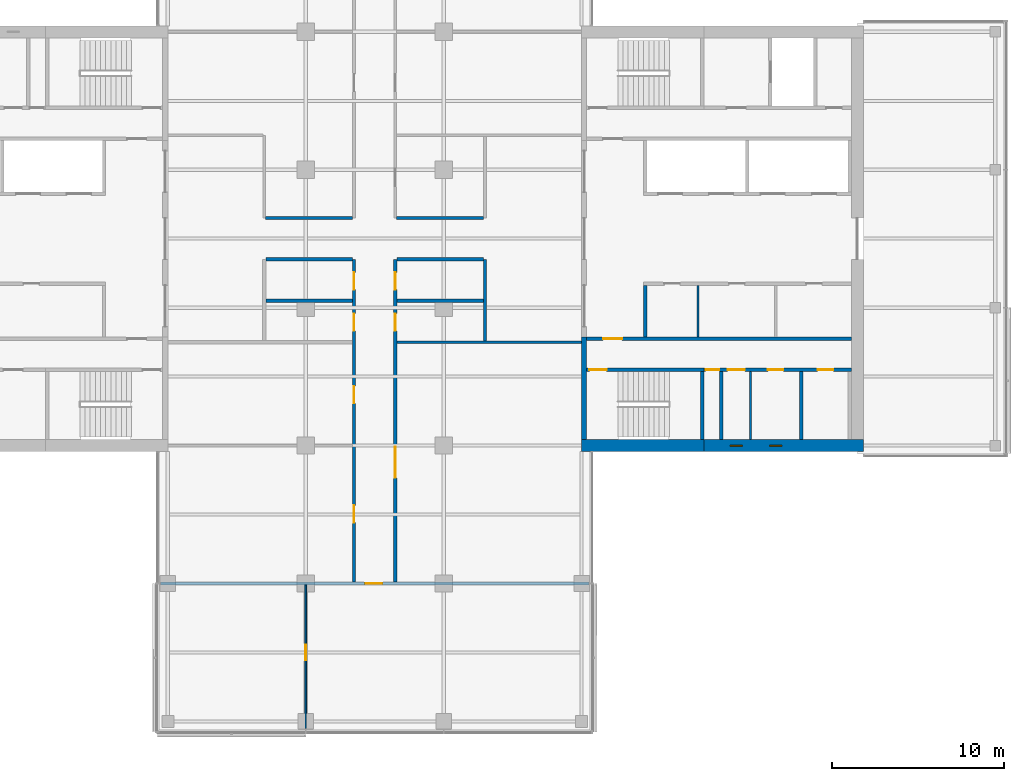
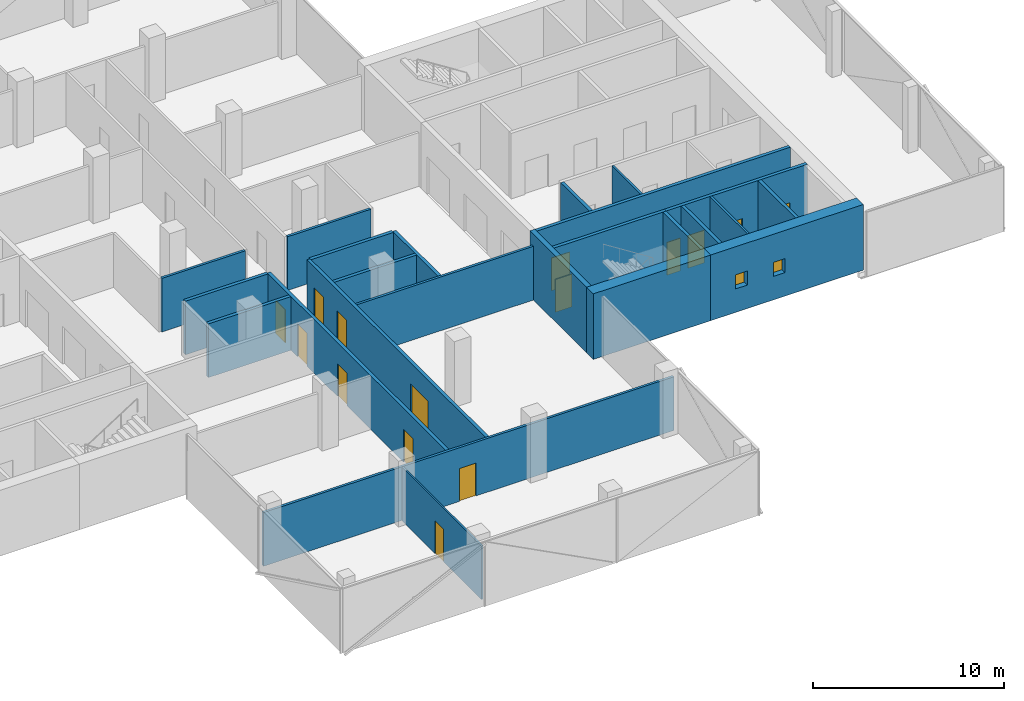
# One storey, part 14 of 22: 24 walls, 15 doors, 2 windows, 17 openings.
"""IFC4 building model written with IfcOpenShell, lengths in metres."""

from ifc_helpers import new_model, si_unit, direction, frame, frame_2d, origin, place, context, subcontext, project, spatial, rectangle, extrude, material, layer, layer_set, constituent, constituent_set, type_object, element, fill, save


model = new_model("IFC4")

# Units and contexts
model_context = context("Model", 3, precision=1e-05, world=origin(), true_north=direction((0.0, 1.0)))
body_context = subcontext(model_context, "Body", "Model", "MODEL_VIEW")
ifc_project = project(units=[si_unit("LENGTHUNIT", "METRE"), si_unit("AREAUNIT", "SQUARE_METRE"), si_unit("VOLUMEUNIT", "CUBIC_METRE"), si_unit("PLANEANGLEUNIT", "RADIAN"), si_unit("MASSUNIT", "GRAM", prefix="KILO")], contexts=[model_context])

# Site, building, storey
site_placement = place(None, origin())
site = spatial("IfcSite", under=ifc_project, at=site_placement, CompositionType="ELEMENT")
building_placement = place(site_placement, origin())
building = spatial("IfcBuilding", under=site, at=building_placement, Name="Crosswind Convention Tower", CompositionType="ELEMENT")
storey_placement = place(building_placement, frame((0.0, 0.0, 163.10009765625)))
storey = spatial("IfcBuildingStorey", under=building, at=storey_placement, Name="L34", CompositionType="ELEMENT", Elevation=163.10009765625)

# Wall
ifc_material_1 = material(Name="Concrete blockwork", Category="masonry")
ifc_layer_1 = layer(ifc_material_1, 0.199951171875)
ifc_layer_set_1 = layer_set([ifc_layer_1], Name="Blockwork partition wall 200")
wall_type_1 = type_object("IfcWallType", Name="Blockwork partition wall 200", PredefinedType="PARTITIONING", material=ifc_layer_set_1)
wall_1_placement = place(storey_placement, frame((145.10009765625, 88.35009765625, 0.0), z_axis=(0.0, 0.0, 1.0), x_axis=(0.0, 1.0, 0.0)))
element("IfcWall", 1, at=wall_1_placement, inside=storey, type_object=wall_type_1, Name="Wall MRSE E L34", PredefinedType="PARTITIONING", context=body_context, shape_type="SweptSolid", body=[
    extrude(rectangle(XDim=3.949951171875, YDim=0.199951171875, at=frame_2d((1.97509765625, 0.0))), origin(), (0.0, 0.0, 1.0), 4.199951171875),
])

# Wall, openings, doors
ifc_layer_2 = layer(ifc_material_1, 0.199951171875)
ifc_layer_set_2 = layer_set([ifc_layer_2], Name="COMPARTMENT WALL 200 BLOCKWORK")
wall_type_2 = type_object("IfcWallType", Name="COMPARTMENT WALL 200 BLOCKWORK", PredefinedType="SOLIDWALL", material=ifc_layer_set_2)
wall_2_placement = place(storey_placement, frame((123.800048828125, 80.074951171875, 0.0), z_axis=(0.0, 0.0, 1.0), x_axis=(0.0, 1.0, 0.0)))
wall_2 = element("IfcWall", 2, at=wall_2_placement, inside=storey, type_object=wall_type_2, Name="Compartment wall WT42", PredefinedType="SOLIDWALL", context=body_context, shape_type="SweptSolid", body=[
    extrude(rectangle(XDim=18.72509765625, YDim=0.199951171875, at=frame_2d((9.362548828125, 0.0))), origin(), (0.0, 0.0, 1.0), 3.436279296875),
])
opening_1_placement = place(wall_2_placement, frame((16.97509765625, 0.0, 0.0)))
opening_1 = element("IfcOpeningElement", 3, at=opening_1_placement, cuts=wall_2, Name="Opening L34-58", PredefinedType="OPENING", context=body_context, shape_type="SweptSolid", body=[
    extrude(rectangle(XDim=1.0, YDim=2.10009765625, at=frame_2d((0.5, 1.050048828125))), frame((0.0, 0.10986328125, 0.0), z_axis=(0.0, -1.0, 0.0), x_axis=(1.0, 0.0, 0.0)), (0.0, 0.0, 1.0), 0.219970703125),
])
opening_2_placement = place(wall_2_placement, frame((14.574951171875, 0.0, 0.0)))
opening_2 = element("IfcOpeningElement", 4, at=opening_2_placement, cuts=wall_2, Name="Opening L34-59", PredefinedType="OPENING", context=body_context, shape_type="SweptSolid", body=[
    extrude(rectangle(XDim=1.0, YDim=2.10009765625, at=frame_2d((0.5, 1.050048828125))), frame((0.0, 0.10986328125, 0.0), z_axis=(0.0, -1.0, 0.0), x_axis=(1.0, 0.0, 0.0)), (0.0, 0.0, 1.0), 0.219970703125),
])
opening_3_placement = place(wall_2_placement, frame((10.375, 0.0, 0.0)))
opening_3 = element("IfcOpeningElement", 5, at=opening_3_placement, cuts=wall_2, Name="Opening L34-60", PredefinedType="OPENING", context=body_context, shape_type="SweptSolid", body=[
    extrude(rectangle(XDim=1.0, YDim=2.10009765625, at=frame_2d((0.5, 1.050048828125))), frame((0.0, 0.10986328125, 0.0), z_axis=(0.0, -1.0, 0.0), x_axis=(1.0, 0.0, 0.0)), (0.0, 0.0, 1.0), 0.219970703125),
])
opening_4_placement = place(wall_2_placement, frame((3.449951171875, 0.0, 0.0)))
opening_4 = element("IfcOpeningElement", 6, at=opening_4_placement, cuts=wall_2, Name="Opening L34-61", PredefinedType="OPENING", context=body_context, shape_type="SweptSolid", body=[
    extrude(rectangle(XDim=1.0, YDim=2.10009765625, at=frame_2d((0.5, 1.050048828125))), frame((0.0, 0.10986328125, 0.0), z_axis=(0.0, -1.0, 0.0), x_axis=(1.0, 0.0, 0.0)), (0.0, 0.0, 1.0), 0.219970703125),
])
ifc_material_2 = material(Name="Steel fire door", Category="steel")
door_type_1 = type_object("IfcDoorType", Name="PLANT ROOM DOOR 1000X2100 FD60", OperationType="NOTDEFINED", PredefinedType="DOOR", material=ifc_material_2)
door_1_placement = place(opening_1_placement, origin())
door_1 = element("IfcDoor", 7, at=door_1_placement, inside=storey, type_object=door_type_1, Name="Door L34-58", ObjectType="D43", OperationType="SINGLE_SWING_LEFT", OverallHeight=2.10009765625, OverallWidth=1.0, PredefinedType="DOOR", context=body_context, shape_type="SweptSolid", body=[
    extrude(rectangle(XDim=1.0, YDim=2.10009765625, at=frame_2d((0.5, 1.050048828125))), frame((0.0, 0.02490234375, 0.0), z_axis=(0.0, -1.0, 0.0), x_axis=(1.0, 0.0, 0.0)), (0.0, 0.0, 1.0), 0.050048828125),
])
fill(opening_1, door_1)
door_2_placement = place(opening_2_placement, origin())
door_2 = element("IfcDoor", 8, at=door_2_placement, inside=storey, type_object=door_type_1, Name="Door L34-59", ObjectType="D43", OperationType="SINGLE_SWING_LEFT", OverallHeight=2.10009765625, OverallWidth=1.0, PredefinedType="DOOR", context=body_context, shape_type="SweptSolid", body=[
    extrude(rectangle(XDim=1.0, YDim=2.10009765625, at=frame_2d((0.5, 1.050048828125))), frame((0.0, 0.02490234375, 0.0), z_axis=(0.0, -1.0, 0.0), x_axis=(1.0, 0.0, 0.0)), (0.0, 0.0, 1.0), 0.050048828125),
])
fill(opening_2, door_2)
ifc_material_3 = material(Name="Timber fire door", Category="wood")
door_type_2 = type_object("IfcDoorType", Name="TENANCY ENTRANCE DOOR 1000X2100 FD30S", OperationType="NOTDEFINED", PredefinedType="DOOR", material=ifc_material_3)
door_3_placement = place(opening_3_placement, origin())
door_3 = element("IfcDoor", 9, at=door_3_placement, inside=storey, type_object=door_type_2, Name="Door L34-60", ObjectType="D41", OperationType="SINGLE_SWING_LEFT", OverallHeight=2.10009765625, OverallWidth=1.0, PredefinedType="DOOR", context=body_context, shape_type="SweptSolid", body=[
    extrude(rectangle(XDim=1.0, YDim=2.10009765625, at=frame_2d((0.5, 1.050048828125))), frame((0.0, 0.02490234375, 0.0), z_axis=(0.0, -1.0, 0.0), x_axis=(1.0, 0.0, 0.0)), (0.0, 0.0, 1.0), 0.050048828125),
])
fill(opening_3, door_3)
door_4_placement = place(opening_4_placement, origin())
door_4 = element("IfcDoor", 10, at=door_4_placement, inside=storey, type_object=door_type_2, Name="Door L34-61", ObjectType="D41", OperationType="SINGLE_SWING_RIGHT", OverallHeight=2.10009765625, OverallWidth=1.0, PredefinedType="DOOR", context=body_context, shape_type="SweptSolid", body=[
    extrude(rectangle(XDim=1.0, YDim=2.10009765625, at=frame_2d((0.5, 1.050048828125))), frame((0.0, 0.02490234375, 0.0), z_axis=(0.0, -1.0, 0.0), x_axis=(1.0, 0.0, 0.0)), (0.0, 0.0, 1.0), 0.050048828125),
])
fill(opening_4, door_4)

wall_3_placement = place(storey_placement, frame((126.199951171875, 80.074951171875, 0.0), z_axis=(0.0, 0.0, 1.0), x_axis=(0.0, 1.0, 0.0)))
wall_3 = element("IfcWall", 11, at=wall_3_placement, inside=storey, type_object=wall_type_2, Name="Compartment wall WT42", PredefinedType="SOLIDWALL", context=body_context, shape_type="SweptSolid", body=[
    extrude(rectangle(XDim=18.72509765625, YDim=0.199951171875, at=frame_2d((9.362548828125, 0.0))), origin(), (0.0, 0.0, 1.0), 3.436279296875),
])
opening_5_placement = place(wall_3_placement, frame((16.97509765625, 0.0, 0.0)))
opening_5 = element("IfcOpeningElement", 12, at=opening_5_placement, cuts=wall_3, Name="Opening L34-53", PredefinedType="OPENING", context=body_context, shape_type="SweptSolid", body=[
    extrude(rectangle(XDim=1.0, YDim=2.10009765625, at=frame_2d((0.5, 1.050048828125))), frame((0.0, 0.10986328125, 0.0), z_axis=(0.0, -1.0, 0.0), x_axis=(1.0, 0.0, 0.0)), (0.0, 0.0, 1.0), 0.219970703125),
])
opening_6_placement = place(wall_3_placement, frame((14.574951171875, 0.0, 0.0)))
opening_6 = element("IfcOpeningElement", 13, at=opening_6_placement, cuts=wall_3, Name="Opening L34-54", PredefinedType="OPENING", context=body_context, shape_type="SweptSolid", body=[
    extrude(rectangle(XDim=1.0, YDim=2.10009765625, at=frame_2d((0.5, 1.050048828125))), frame((0.0, 0.10986328125, 0.0), z_axis=(0.0, -1.0, 0.0), x_axis=(1.0, 0.0, 0.0)), (0.0, 0.0, 1.0), 0.219970703125),
])
opening_7_placement = place(wall_3_placement, frame((6.050048828125, 0.0, 0.0)))
opening_7 = element("IfcOpeningElement", 14, at=opening_7_placement, cuts=wall_3, Name="Opening L34-55", PredefinedType="OPENING", context=body_context, shape_type="SweptSolid", body=[
    extrude(rectangle(XDim=1.800048828125, YDim=2.10009765625, at=frame_2d((0.89990234375, 1.050048828125))), frame((0.0, 0.10986328125, 0.0), z_axis=(0.0, -1.0, 0.0), x_axis=(1.0, 0.0, 0.0)), (0.0, 0.0, 1.0), 0.219970703125),
])
door_5_placement = place(opening_5_placement, frame((1.0, 0.0, 0.0), z_axis=(0.0, 0.0, 1.0), x_axis=(-1.0, 0.0, 0.0)))
door_5 = element("IfcDoor", 15, at=door_5_placement, inside=storey, type_object=door_type_1, Name="Door L34-53", ObjectType="D43", OperationType="SINGLE_SWING_RIGHT", OverallHeight=2.10009765625, OverallWidth=1.0, PredefinedType="DOOR", context=body_context, shape_type="SweptSolid", body=[
    extrude(rectangle(XDim=1.0, YDim=2.10009765625, at=frame_2d((0.5, 1.050048828125))), frame((0.0, 0.02490234375, 0.0), z_axis=(0.0, -1.0, 0.0), x_axis=(1.0, 0.0, 0.0)), (0.0, 0.0, 1.0), 0.050048828125),
])
fill(opening_5, door_5)
door_6_placement = place(opening_6_placement, frame((1.0, 0.0, 0.0), z_axis=(0.0, 0.0, 1.0), x_axis=(-1.0, 0.0, 0.0)))
door_6 = element("IfcDoor", 16, at=door_6_placement, inside=storey, type_object=door_type_2, Name="Door L34-54", ObjectType="D41", OperationType="SINGLE_SWING_RIGHT", OverallHeight=2.10009765625, OverallWidth=1.0, PredefinedType="DOOR", context=body_context, shape_type="SweptSolid", body=[
    extrude(rectangle(XDim=1.0, YDim=2.10009765625, at=frame_2d((0.5, 1.050048828125))), frame((0.0, 0.02490234375, 0.0), z_axis=(0.0, -1.0, 0.0), x_axis=(1.0, 0.0, 0.0)), (0.0, 0.0, 1.0), 0.050048828125),
])
fill(opening_6, door_6)
door_type_3 = type_object("IfcDoorType", Name="TENANCY ENTRANCE DOUBLE DOOR 1800X2100 FD30S", OperationType="DOUBLE_DOOR_SINGLE_SWING", PredefinedType="DOOR", material=ifc_material_3)
door_7_placement = place(opening_7_placement, frame((1.800048828125, 0.0, 0.0), z_axis=(0.0, 0.0, 1.0), x_axis=(-1.0, 0.0, 0.0)))
door_7 = element("IfcDoor", 17, at=door_7_placement, inside=storey, type_object=door_type_3, Name="Door L34-55", ObjectType="D42", OperationType="DOUBLE_DOOR_SINGLE_SWING", OverallHeight=2.10009765625, OverallWidth=1.800048828125, PredefinedType="DOOR", context=body_context, shape_type="SweptSolid", body=[
    extrude(rectangle(XDim=1.800048828125, YDim=2.10009765625, at=frame_2d((0.89990234375, 1.050048828125))), frame((0.0, 0.02490234375, 0.0), z_axis=(0.0, -1.0, 0.0), x_axis=(1.0, 0.0, 0.0)), (0.0, 0.0, 1.0), 0.050048828125),
])
fill(opening_7, door_7)

# Walls
wall_4_placement = place(storey_placement, frame((131.39990234375, 94.074951171875, 0.0), z_axis=(0.0, 0.0, 1.0), x_axis=(0.0, 1.0, 0.0)))
element("IfcWall", 18, at=wall_4_placement, inside=storey, type_object=wall_type_2, Name="Compartment wall WT42", PredefinedType="SOLIDWALL", context=body_context, shape_type="SweptSolid", body=[
    extrude(rectangle(XDim=4.72509765625, YDim=0.199951171875, at=frame_2d((2.362548828125, 0.0))), origin(), (0.0, 0.0, 1.0), 3.436279296875),
])
for number, where, z_axis, x_axis, name in (
    (19, (118.699951171875, 96.39990234375, 0.0), (0.0, 0.0, 1.0), (1.0, 0.0, 0.0), "Compartment wall WT42"),
    (20, (126.300048828125, 96.39990234375, 0.0), (0.0, 0.0, 1.0), (1.0, 0.0, 0.0), "Compartment wall WT42"),
    (21, (118.699951171875, 98.800048828125, 0.0), (0.0, 0.0, 1.0), (1.0, 0.0, 0.0), "Compartment wall WT42"),
    (22, (126.300048828125, 98.800048828125, 0.0), (0.0, 0.0, 1.0), (1.0, 0.0, 0.0), "Compartment wall WT42"),
):
    element("IfcWall", number, at=place(storey_placement, frame(where, z_axis=z_axis, x_axis=x_axis)), inside=storey, type_object=wall_type_2, Name=name, PredefinedType="SOLIDWALL", context=body_context, shape_type="SweptSolid", body=[
        extrude(rectangle(XDim=5.0, YDim=0.199951171875, at=frame_2d((2.5, 0.0))), origin(), (0.0, 0.0, 1.0), 3.436279296875),
    ])
ifc_material_4 = material(Name="Concrete C50/60", Category="concrete")
ifc_layer_3 = layer(ifc_material_4, 0.300048828125)
ifc_layer_set_3 = layer_set([ifc_layer_3], Name="Concrete C50/60")
wall_type_3 = type_object("IfcWallType", Name="Concrete inner core wall 300", PredefinedType="SHEAR", material=ifc_layer_set_3)
wall_5_placement = place(storey_placement, frame((137.14990234375, 88.35009765625, 0.0), z_axis=(0.0, 0.0, 1.0), x_axis=(0.0, 1.0, 0.0)))
element("IfcWall", 23, at=wall_5_placement, inside=storey, type_object=wall_type_3, Name="Wall EM E L34", PredefinedType="SHEAR", context=body_context, shape_type="SweptSolid", body=[
    extrude(rectangle(XDim=5.949951171875, YDim=0.300048828125, at=frame_2d((2.97509765625, 0.0))), origin(), (0.0, 0.0, 1.0), 4.199951171875),
])
ifc_layer_4 = layer(ifc_material_4, 0.199951171875)
ifc_layer_set_4 = layer_set([ifc_layer_4], Name="Concrete C50/60")
wall_type_4 = type_object("IfcWallType", Name="Concrete shaft and stair wall 200", PredefinedType="SHEAR", material=ifc_layer_set_4)
wall_6_placement = place(storey_placement, frame((140.699951171875, 94.300048828125, 0.0), z_axis=(0.0, 0.0, 1.0), x_axis=(0.0, 1.0, 0.0)))
element("IfcWall", 24, at=wall_6_placement, inside=storey, type_object=wall_type_4, Name="Wall RMEND E L34", PredefinedType="SHEAR", context=body_context, shape_type="SweptSolid", body=[
    extrude(rectangle(XDim=3.0, YDim=0.199951171875, at=frame_2d((1.5, 0.0))), origin(), (0.0, 0.0, 1.0), 4.199951171875),
])

# Wall, opening, door
wall_7_placement = place(storey_placement, frame((137.300048828125, 94.199951171875, 0.0), z_axis=(0.0, 0.0, 1.0), x_axis=(1.0, 0.0, 0.0)))
wall_7 = element("IfcWall", 25, at=wall_7_placement, inside=storey, type_object=wall_type_4, Name="Wall HM E L34", PredefinedType="SHEAR", context=body_context, shape_type="SweptSolid", body=[
    extrude(rectangle(XDim=15.349853515625, YDim=0.199951171875, at=frame_2d((7.6748046875, 0.0))), origin(), (0.0, 0.0, 1.0), 4.199951171875),
])
opening_8_placement = place(wall_7_placement, frame((0.949951171875, 0.0, 0.0)))
opening_8 = element("IfcOpeningElement", 26, at=opening_8_placement, cuts=wall_7, Name="Opening D104", PredefinedType="OPENING", context=body_context, shape_type="SweptSolid", body=[
    extrude(rectangle(XDim=1.10009765625, YDim=2.10009765625, at=frame_2d((0.550048828125, 1.050048828125))), frame((0.0, 0.10986328125, 0.0), z_axis=(0.0, -1.0, 0.0), x_axis=(1.0, 0.0, 0.0)), (0.0, 0.0, 1.0), 0.219970703125),
])
door_type_4 = type_object("IfcDoorType", Name="Fire-rated single door 1100x2100", OperationType="NOTDEFINED", PredefinedType="DOOR", material=ifc_material_2)
door_8_placement = place(opening_8_placement, origin())
door_8 = element("IfcDoor", 27, at=door_8_placement, inside=storey, type_object=door_type_4, Name="Corridor door L34", ObjectType="D104", OperationType="SINGLE_SWING_LEFT", OverallHeight=2.10009765625, OverallWidth=1.10009765625, PredefinedType="DOOR", context=body_context, shape_type="SweptSolid", body=[
    extrude(rectangle(XDim=1.10009765625, YDim=2.10009765625, at=frame_2d((0.550048828125, 1.050048828125))), frame((0.0, 0.02490234375, 0.0), z_axis=(0.0, -1.0, 0.0), x_axis=(1.0, 0.0, 0.0)), (0.0, 0.0, 1.0), 0.050048828125),
])
fill(opening_8, door_8)

# Walls
for number, where, z_axis, x_axis, name in (
    (28, (144.0, 88.35009765625, 0.0), (0.0, 0.0, 1.0), (0.0, 1.0, 0.0), "Wall MSE E L34"),
    (29, (149.75, 88.35009765625, 0.0), (0.0, 0.0, 1.0), (0.0, 1.0, 0.0), "Wall MFSW E L34"),
):
    element("IfcWall", number, at=place(storey_placement, frame(where, z_axis=z_axis, x_axis=x_axis)), inside=storey, type_object=wall_type_4, Name=name, PredefinedType="SHEAR", context=body_context, shape_type="SweptSolid", body=[
        extrude(rectangle(XDim=3.949951171875, YDim=0.199951171875, at=frame_2d((1.97509765625, 0.0))), origin(), (0.0, 0.0, 1.0), 4.199951171875),
    ])

# Wall, opening, door
wall_8_placement = place(storey_placement, frame((137.300048828125, 92.39990234375, 0.0), z_axis=(0.0, 0.0, 1.0), x_axis=(1.0, 0.0, 0.0)))
wall_8 = element("IfcWall", 30, at=wall_8_placement, inside=storey, type_object=wall_type_4, Name="Wall MCW E L34", PredefinedType="SHEAR", context=body_context, shape_type="SweptSolid", body=[
    extrude(rectangle(XDim=6.800048828125, YDim=0.199951171875, at=frame_2d((3.39990234375, 0.0))), origin(), (0.0, 0.0, 1.0), 4.199951171875),
])
opening_9_placement = place(wall_8_placement, frame((0.14990234375, 0.0, 0.0)))
opening_9 = element("IfcOpeningElement", 31, at=opening_9_placement, cuts=wall_8, Name="Opening D103", PredefinedType="OPENING", context=body_context, shape_type="SweptSolid", body=[
    extrude(rectangle(XDim=1.0, YDim=2.10009765625, at=frame_2d((0.5, 1.050048828125))), frame((0.0, 0.10986328125, 0.0), z_axis=(0.0, -1.0, 0.0), x_axis=(1.0, 0.0, 0.0)), (0.0, 0.0, 1.0), 0.219970703125),
])
door_type_5 = type_object("IfcDoorType", Name="Fire-rated single door 1000x2100", OperationType="NOTDEFINED", PredefinedType="DOOR", material=ifc_material_2)
door_9_placement = place(opening_9_placement, frame((1.0, 0.0, 0.0), z_axis=(0.0, 0.0, 1.0), x_axis=(-1.0, 0.0, 0.0)))
door_9 = element("IfcDoor", 32, at=door_9_placement, inside=storey, type_object=door_type_5, Name="Stair ST2 door L34", ObjectType="D103", OperationType="SINGLE_SWING_RIGHT", OverallHeight=2.10009765625, OverallWidth=1.0, PredefinedType="DOOR", context=body_context, shape_type="SweptSolid", body=[
    extrude(rectangle(XDim=1.0, YDim=2.10009765625, at=frame_2d((0.5, 1.050048828125))), frame((0.0, 0.02490234375, 0.0), z_axis=(0.0, -1.0, 0.0), x_axis=(1.0, 0.0, 0.0)), (0.0, 0.0, 1.0), 0.050048828125),
])
fill(opening_9, door_9)

# Wall, openings, doors
wall_9_placement = place(storey_placement, frame((144.10009765625, 92.39990234375, 0.0), z_axis=(0.0, 0.0, 1.0), x_axis=(1.0, 0.0, 0.0)))
wall_9 = element("IfcWall", 33, at=wall_9_placement, inside=storey, type_object=wall_type_4, Name="Wall MCX E L34", PredefinedType="SHEAR", context=body_context, shape_type="SweptSolid", body=[
    extrude(rectangle(XDim=8.5498046875, YDim=0.199951171875, at=frame_2d((4.27490234375, 0.0))), origin(), (0.0, 0.0, 1.0), 4.199951171875),
])
opening_10_placement = place(wall_9_placement, frame((0.10009765625, 0.0, 0.0)))
opening_10 = element("IfcOpeningElement", 34, at=opening_10_placement, cuts=wall_9, Name="Opening D105", PredefinedType="OPENING", context=body_context, shape_type="SweptSolid", body=[
    extrude(rectangle(XDim=0.800048828125, YDim=2.10009765625, at=frame_2d((0.39990234375, 1.050048828125))), frame((0.0, 0.10986328125, 0.0), z_axis=(0.0, -1.0, 0.0), x_axis=(1.0, 0.0, 0.0)), (0.0, 0.0, 1.0), 0.219970703125),
])
opening_11_placement = place(wall_9_placement, frame((1.36962890625, 0.0, 0.0)))
opening_11 = element("IfcOpeningElement", 35, at=opening_11_placement, cuts=wall_9, Name="Opening D103", PredefinedType="OPENING", context=body_context, shape_type="SweptSolid", body=[
    extrude(rectangle(XDim=1.0, YDim=2.10009765625, at=frame_2d((0.5, 1.050048828125))), frame((0.0, 0.10986328125, 0.0), z_axis=(0.0, -1.0, 0.0), x_axis=(1.0, 0.0, 0.0)), (0.0, 0.0, 1.0), 0.219970703125),
])
opening_12_placement = place(wall_9_placement, frame((3.707275390625, 0.0, 0.0)))
opening_12 = element("IfcOpeningElement", 36, at=opening_12_placement, cuts=wall_9, Name="Opening D106", PredefinedType="OPENING", context=body_context, shape_type="SweptSolid", body=[
    extrude(rectangle(XDim=0.89990234375, YDim=2.10009765625, at=frame_2d((0.449951171875, 1.050048828125))), frame((0.0, 0.10986328125, 0.0), z_axis=(0.0, -1.0, 0.0), x_axis=(1.0, 0.0, 0.0)), (0.0, 0.0, 1.0), 0.219970703125),
])
opening_13_placement = place(wall_9_placement, frame((6.60009765625, 0.0, 0.0)))
opening_13 = element("IfcOpeningElement", 37, at=opening_13_placement, cuts=wall_9, Name="Opening D106", PredefinedType="OPENING", context=body_context, shape_type="SweptSolid", body=[
    extrude(rectangle(XDim=0.89990234375, YDim=2.10009765625, at=frame_2d((0.449951171875, 1.050048828125))), frame((0.0, 0.10986328125, 0.0), z_axis=(0.0, -1.0, 0.0), x_axis=(1.0, 0.0, 0.0)), (0.0, 0.0, 1.0), 0.219970703125),
])
door_10_placement = place(opening_11_placement, frame((1.0, 0.0, 0.0), z_axis=(0.0, 0.0, 1.0), x_axis=(-1.0, 0.0, 0.0)))
door_10 = element("IfcDoor", 38, at=door_10_placement, inside=storey, type_object=door_type_5, Name="Door to accessible wc L34", ObjectType="D103", OperationType="SINGLE_SWING_LEFT", OverallHeight=2.10009765625, OverallWidth=1.0, PredefinedType="DOOR", context=body_context, shape_type="SweptSolid", body=[
    extrude(rectangle(XDim=1.0, YDim=2.10009765625, at=frame_2d((0.5, 1.050048828125))), frame((0.0, 0.02490234375, 0.0), z_axis=(0.0, -1.0, 0.0), x_axis=(1.0, 0.0, 0.0)), (0.0, 0.0, 1.0), 0.050048828125),
])
fill(opening_11, door_10)
door_type_6 = type_object("IfcDoorType", Name="Riser access door 800x2100", OperationType="NOTDEFINED", PredefinedType="DOOR", material=ifc_material_2)
door_11_placement = place(opening_10_placement, frame((0.800048828125, 0.0, 0.0), z_axis=(0.0, 0.0, 1.0), x_axis=(-1.0, 0.0, 0.0)))
door_11 = element("IfcDoor", 39, at=door_11_placement, inside=storey, type_object=door_type_6, Name="Riser door L34", ObjectType="D105", OperationType="SINGLE_SWING_LEFT", OverallHeight=2.10009765625, OverallWidth=0.800048828125, PredefinedType="DOOR", context=body_context, shape_type="SweptSolid", body=[
    extrude(rectangle(XDim=0.800048828125, YDim=2.10009765625, at=frame_2d((0.39990234375, 1.050048828125))), frame((0.0, 0.02490234375, 0.0), z_axis=(0.0, -1.0, 0.0), x_axis=(1.0, 0.0, 0.0)), (0.0, 0.0, 1.0), 0.050048828125),
])
fill(opening_10, door_11)
ifc_material_5 = material(Name="Timber door", Category="wood")
door_type_7 = type_object("IfcDoorType", Name="Single leaf door 900x2100", OperationType="NOTDEFINED", PredefinedType="DOOR", material=ifc_material_5)
door_12_placement = place(opening_12_placement, frame((0.89990234375, 0.0, 0.0), z_axis=(0.0, 0.0, 1.0), x_axis=(-1.0, 0.0, 0.0)))
door_12 = element("IfcDoor", 40, at=door_12_placement, inside=storey, type_object=door_type_7, Name="Door to wc L34", ObjectType="D106", OperationType="SINGLE_SWING_LEFT", OverallHeight=2.10009765625, OverallWidth=0.89990234375, PredefinedType="DOOR", context=body_context, shape_type="SweptSolid", body=[
    extrude(rectangle(XDim=0.89990234375, YDim=2.10009765625, at=frame_2d((0.449951171875, 1.050048828125))), frame((0.0, 0.02490234375, 0.0), z_axis=(0.0, -1.0, 0.0), x_axis=(1.0, 0.0, 0.0)), (0.0, 0.0, 1.0), 0.050048828125),
])
fill(opening_12, door_12)
door_13_placement = place(opening_13_placement, frame((0.89990234375, 0.0, 0.0), z_axis=(0.0, 0.0, 1.0), x_axis=(-1.0, 0.0, 0.0)))
door_13 = element("IfcDoor", 41, at=door_13_placement, inside=storey, type_object=door_type_7, Name="Door to wc L34", ObjectType="D106", OperationType="SINGLE_SWING_LEFT", OverallHeight=2.10009765625, OverallWidth=0.89990234375, PredefinedType="DOOR", context=body_context, shape_type="SweptSolid", body=[
    extrude(rectangle(XDim=0.89990234375, YDim=2.10009765625, at=frame_2d((0.449951171875, 1.050048828125))), frame((0.0, 0.02490234375, 0.0), z_axis=(0.0, -1.0, 0.0), x_axis=(1.0, 0.0, 0.0)), (0.0, 0.0, 1.0), 0.050048828125),
])
fill(opening_13, door_13)

# Walls
ifc_material_6 = material(Name="Gypsum plasterboard partition", Category="gypsum")
ifc_layer_5 = layer(ifc_material_6, 0.125)
ifc_layer_set_5 = layer_set([ifc_layer_5], Name="Drywall partition wall 125")
wall_type_5 = type_object("IfcWallType", Name="Drywall partition wall 125", PredefinedType="PARTITIONING", material=ifc_layer_set_5)
wall_10_placement = place(storey_placement, frame((143.762451171875, 94.300048828125, 0.0), z_axis=(0.0, 0.0, 1.0), x_axis=(0.0, 1.0, 0.0)))
element("IfcWall", 42, at=wall_10_placement, inside=storey, type_object=wall_type_5, Name="Wall RMP1 E L34", PredefinedType="PARTITIONING", context=body_context, shape_type="SweptSolid", body=[
    extrude(rectangle(XDim=3.0, YDim=0.125, at=frame_2d((1.5, 0.0))), origin(), (0.0, 0.0, 1.0), 4.199951171875),
])
wall_11_placement = place(storey_placement, frame((146.802001953125, 88.35009765625, 0.0), z_axis=(0.0, 0.0, 1.0), x_axis=(0.0, 1.0, 0.0)))
element("IfcWall", 43, at=wall_11_placement, inside=storey, type_object=wall_type_5, Name="Wall MWP1 E L34", PredefinedType="PARTITIONING", context=body_context, shape_type="SweptSolid", body=[
    extrude(rectangle(XDim=3.949951171875, YDim=0.125, at=frame_2d((1.97509765625, 0.0))), origin(), (0.0, 0.0, 1.0), 4.199951171875),
])

# Wall, opening, door
ifc_material_7 = material(Name="Plasterboard partition", Category="gypsum")
ifc_layer_6 = layer(ifc_material_7, 0.10009765625)
ifc_layer_set_6 = layer_set([ifc_layer_6], Name="PARTITION 100 METAL STUD")
wall_type_6 = type_object("IfcWallType", Name="PARTITION 100 METAL STUD", PredefinedType="PARTITIONING", material=ifc_layer_set_6)
wall_12_placement = place(storey_placement, frame((121.0, 71.580078125, 0.0), z_axis=(0.0, 0.0, 1.0), x_axis=(0.0, 1.0, 0.0)))
wall_12 = element("IfcWall", 44, at=wall_12_placement, inside=storey, type_object=wall_type_6, Name="Partition wall WT40", PredefinedType="PARTITIONING", context=body_context, shape_type="SweptSolid", body=[
    extrude(rectangle(XDim=8.344970703125, YDim=0.10009765625, at=frame_2d((4.17236328125, 0.0))), origin(), (0.0, 0.0, 1.0), 3.436279296875),
])
opening_14_placement = place(wall_12_placement, frame((3.969970703125, 0.0, 0.0)))
opening_14 = element("IfcOpeningElement", 45, at=opening_14_placement, cuts=wall_12, Name="Opening L34-65", PredefinedType="OPENING", context=body_context, shape_type="SweptSolid", body=[
    extrude(rectangle(XDim=0.89990234375, YDim=2.10009765625, at=frame_2d((0.449951171875, 1.050048828125))), frame((0.0, 0.06005859375, 0.0), z_axis=(0.0, -1.0, 0.0), x_axis=(1.0, 0.0, 0.0)), (0.0, 0.0, 1.0), 0.1201171875),
])
door_type_8 = type_object("IfcDoorType", Name="INTERNAL DOOR 900X2100", OperationType="NOTDEFINED", PredefinedType="DOOR", material=ifc_material_5)
door_14_placement = place(opening_14_placement, origin())
door_14 = element("IfcDoor", 46, at=door_14_placement, inside=storey, type_object=door_type_8, Name="Door L34-65", ObjectType="D40", OperationType="SINGLE_SWING_RIGHT", OverallHeight=2.10009765625, OverallWidth=0.89990234375, PredefinedType="DOOR", context=body_context, shape_type="SweptSolid", body=[
    extrude(rectangle(XDim=0.89990234375, YDim=2.10009765625, at=frame_2d((0.449951171875, 1.050048828125))), frame((0.0, 0.02490234375, 0.0), z_axis=(0.0, -1.0, 0.0), x_axis=(1.0, 0.0, 0.0)), (0.0, 0.0, 1.0), 0.050048828125),
])
fill(opening_14, door_14)

ifc_material_8 = material(Name="Fire-board partition with mineral wool", Category="gypsum")
ifc_layer_7 = layer(ifc_material_8, 0.14990234375)
ifc_layer_set_7 = layer_set([ifc_layer_7], Name="TENANCY WALL 150 TWO-HOUR BOARD")
wall_type_7 = type_object("IfcWallType", Name="TENANCY WALL 150 TWO-HOUR BOARD", PredefinedType="PARTITIONING", material=ifc_layer_set_7)
wall_13_placement = place(storey_placement, frame((112.580078125, 80.0, 0.0), z_axis=(0.0, 0.0, 1.0), x_axis=(1.0, 0.0, 0.0)))
wall_13 = element("IfcWall", 47, at=wall_13_placement, inside=storey, type_object=wall_type_7, Name="Tenancy wall WT41", PredefinedType="PARTITIONING", context=body_context, shape_type="SweptSolid", body=[
    extrude(rectangle(XDim=24.83984375, YDim=0.14990234375, at=frame_2d((12.419921875, 0.0))), origin(), (0.0, 0.0, 1.0), 3.436279296875),
])
opening_15_placement = place(wall_13_placement, frame((11.8701171875, 0.0, 0.0)))
opening_15 = element("IfcOpeningElement", 48, at=opening_15_placement, cuts=wall_13, Name="Opening L34-64", PredefinedType="OPENING", context=body_context, shape_type="SweptSolid", body=[
    extrude(rectangle(XDim=1.0, YDim=2.10009765625, at=frame_2d((0.5, 1.050048828125))), frame((0.0, 0.0849609375, 0.0), z_axis=(0.0, -1.0, 0.0), x_axis=(1.0, 0.0, 0.0)), (0.0, 0.0, 1.0), 0.169921875),
])
door_15_placement = place(opening_15_placement, frame((1.0, 0.0, 0.0), z_axis=(0.0, 0.0, 1.0), x_axis=(-1.0, 0.0, 0.0)))
door_15 = element("IfcDoor", 49, at=door_15_placement, inside=storey, type_object=door_type_2, Name="Door L34-64", ObjectType="D41", OperationType="SINGLE_SWING_RIGHT", OverallHeight=2.10009765625, OverallWidth=1.0, PredefinedType="DOOR", context=body_context, shape_type="SweptSolid", body=[
    extrude(rectangle(XDim=1.0, YDim=2.10009765625, at=frame_2d((0.5, 1.050048828125))), frame((0.0, 0.02490234375, 0.0), z_axis=(0.0, -1.0, 0.0), x_axis=(1.0, 0.0, 0.0)), (0.0, 0.0, 1.0), 0.050048828125),
])
fill(opening_15, door_15)

# Walls
wall_14_placement = place(storey_placement, frame((126.300048828125, 94.0, 0.0), z_axis=(0.0, 0.0, 1.0), x_axis=(1.0, 0.0, 0.0)))
element("IfcWall", 50, at=wall_14_placement, inside=storey, type_object=wall_type_7, Name="Tenancy wall WT41", PredefinedType="PARTITIONING", context=body_context, shape_type="SweptSolid", body=[
    extrude(rectangle(XDim=10.699951171875, YDim=0.14990234375, at=frame_2d((5.35009765625, 0.0))), origin(), (0.0, 0.0, 1.0), 3.436279296875),
])
for number, where, z_axis, x_axis, name in (
    (51, (118.675048828125, 101.199951171875, 0.0), (0.0, 0.0, 1.0), (1.0, 0.0, 0.0), "Tenancy wall WT41"),
    (52, (126.27490234375, 101.199951171875, 0.0), (0.0, 0.0, 1.0), (1.0, 0.0, 0.0), "Tenancy wall WT41"),
):
    element("IfcWall", number, at=place(storey_placement, frame(where, z_axis=z_axis, x_axis=x_axis)), inside=storey, type_object=wall_type_7, Name=name, PredefinedType="PARTITIONING", context=body_context, shape_type="SweptSolid", body=[
        extrude(rectangle(XDim=5.050048828125, YDim=0.14990234375, at=frame_2d((2.52490234375, 0.0))), origin(), (0.0, 0.0, 1.0), 3.436279296875),
    ])
ifc_material_9 = material(Name="Concrete C60/75", Category="concrete")
ifc_constituent_1 = constituent(ifc_material_9, Name="Structure")
ifc_material_10 = material(Name="Terracotta rainscreen", Category="ceramic")
ifc_constituent_2 = constituent(ifc_material_10, Name="Facing")
ifc_constituent_set = constituent_set(constituents=[ifc_constituent_1, ifc_constituent_2], Name="Concrete C60/75, Terracotta rainscreen")
wall_type_8 = type_object("IfcWallType", Name="Terracotta rainscreen on concrete core wall 700", PredefinedType="SHEAR", material=ifc_constituent_set)
wall_15_placement = place(storey_placement, frame((137.0, 88.0, 0.0), z_axis=(0.0, 0.0, 1.0), x_axis=(1.0, 0.0, 0.0)))
element("IfcWall", 53, at=wall_15_placement, inside=storey, type_object=wall_type_8, Name="Wall S1 E L34", PredefinedType="SHEAR", context=body_context, shape_type="SweptSolid", body=[
    extrude(rectangle(XDim=7.10009765625, YDim=0.699951171875, at=frame_2d((3.550048828125, 0.0))), origin(), (0.0, 0.0, 1.0), 4.199951171875),
])

# Wall, openings, windows
wall_16_placement = place(storey_placement, frame((144.10009765625, 88.0, 0.0), z_axis=(0.0, 0.0, 1.0), x_axis=(1.0, 0.0, 0.0)))
wall_16 = element("IfcWall", 54, at=wall_16_placement, inside=storey, type_object=wall_type_8, Name="Wall S2 E L34", PredefinedType="SHEAR", context=body_context, shape_type="SweptSolid", body=[
    extrude(rectangle(XDim=9.25, YDim=0.699951171875, at=frame_2d((4.625, 0.0))), origin(), (0.0, 0.0, 1.0), 4.199951171875),
])
opening_16_placement = place(wall_16_placement, frame((1.519775390625, 0.0, 1.5)))
opening_16 = element("IfcOpeningElement", 55, at=opening_16_placement, cuts=wall_16, Name="Opening W2", PredefinedType="OPENING", context=body_context, shape_type="SweptSolid", body=[
    extrude(rectangle(XDim=0.699951171875, YDim=0.89990234375, at=frame_2d((0.35009765625, 0.449951171875))), frame((0.0, 0.35986328125, 0.0), z_axis=(0.0, -1.0, 0.0), x_axis=(1.0, 0.0, 0.0)), (0.0, 0.0, 1.0), 0.719970703125),
])
opening_17_placement = place(wall_16_placement, frame((3.80712890625, 0.0, 1.5)))
opening_17 = element("IfcOpeningElement", 56, at=opening_17_placement, cuts=wall_16, Name="Opening W2", PredefinedType="OPENING", context=body_context, shape_type="SweptSolid", body=[
    extrude(rectangle(XDim=0.699951171875, YDim=0.89990234375, at=frame_2d((0.35009765625, 0.449951171875))), frame((0.0, 0.35986328125, 0.0), z_axis=(0.0, -1.0, 0.0), x_axis=(1.0, 0.0, 0.0)), (0.0, 0.0, 1.0), 0.719970703125),
])
ifc_material_11 = material(Name="Obscure glass in aluminium frame", Category="aluminium")
window_type = type_object("IfcWindowType", Name="WC window 700x900", PartitioningType="SINGLE_PANEL", PredefinedType="WINDOW", material=ifc_material_11)
window_1_placement = place(opening_16_placement, origin())
window_1 = element("IfcWindow", 57, at=window_1_placement, inside=storey, type_object=window_type, Name="WC window L34", ObjectType="W2", OverallHeight=0.89990234375, OverallWidth=0.699951171875, PartitioningType="SINGLE_PANEL", PredefinedType="WINDOW", context=body_context, shape_type="SweptSolid", body=[
    extrude(rectangle(XDim=0.699951171875, YDim=0.89990234375, at=frame_2d((0.35009765625, 0.449951171875))), frame((0.0, 0.030029296875, 0.0), z_axis=(0.0, -1.0, 0.0), x_axis=(1.0, 0.0, 0.0)), (0.0, 0.0, 1.0), 0.06005859375),
])
fill(opening_16, window_1)
window_2_placement = place(opening_17_placement, origin())
window_2 = element("IfcWindow", 58, at=window_2_placement, inside=storey, type_object=window_type, Name="WC window L34", ObjectType="W2", OverallHeight=0.89990234375, OverallWidth=0.699951171875, PartitioningType="SINGLE_PANEL", PredefinedType="WINDOW", context=body_context, shape_type="SweptSolid", body=[
    extrude(rectangle(XDim=0.699951171875, YDim=0.89990234375, at=frame_2d((0.35009765625, 0.449951171875))), frame((0.0, 0.030029296875, 0.0), z_axis=(0.0, -1.0, 0.0), x_axis=(1.0, 0.0, 0.0)), (0.0, 0.0, 1.0), 0.06005859375),
])
fill(opening_17, window_2)

save(model, "model.ifc")
